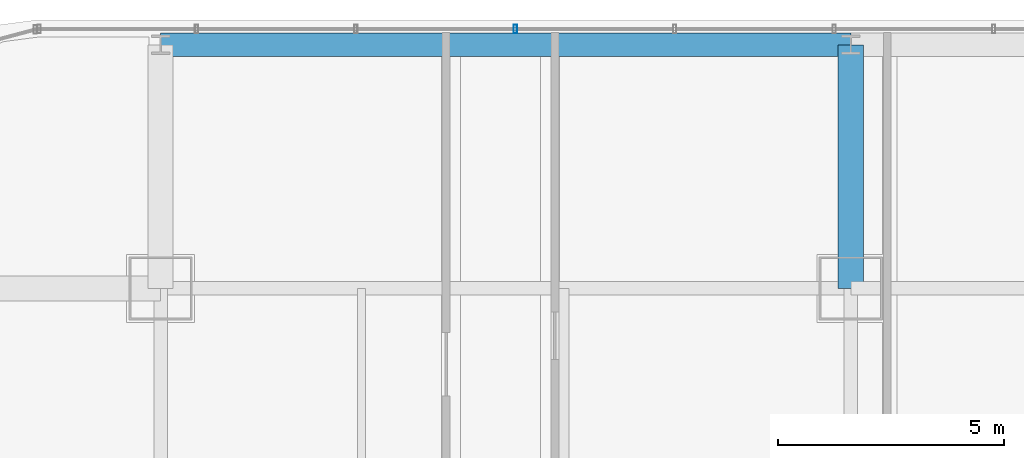
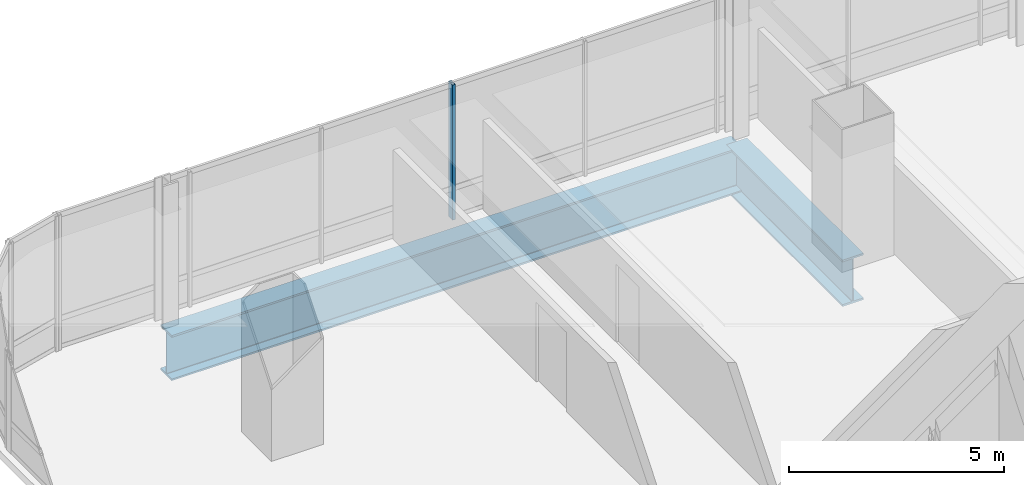
# One storey, part 22 of 38: 2 beams, 1 member, 1 element without a shape of its own.
"""IFC4 building model written with IfcOpenShell, lengths in metres."""

from ifc_helpers import new_model, si_unit, direction, frame, origin, origin_2d, place, context, subcontext, project, spatial, hollow_rectangle, i_section, extrude, material, material_profile, profile_set, type_object, element, aggregate, save


model = new_model("IFC4")

# Units and contexts
model_context = context("Model", 3, precision=1e-05, world=origin(), true_north=direction((0.0, 1.0)))
body_context = subcontext(model_context, "Body", "Model", "MODEL_VIEW")
ifc_project = project(units=[si_unit("LENGTHUNIT", "METRE"), si_unit("AREAUNIT", "SQUARE_METRE"), si_unit("VOLUMEUNIT", "CUBIC_METRE"), si_unit("PLANEANGLEUNIT", "RADIAN"), si_unit("MASSUNIT", "GRAM", prefix="KILO")], contexts=[model_context])

# Site, building, storey
site_placement = place(None, origin())
site = spatial("IfcSite", under=ifc_project, at=site_placement, CompositionType="ELEMENT")
building_placement = place(site_placement, origin())
building = spatial("IfcBuilding", under=site, at=building_placement, Name="Punatoya Terracotta Tower", CompositionType="ELEMENT")
storey_placement = place(building_placement, frame((0.0, 0.0, 151.949951171875)))
storey = spatial("IfcBuildingStorey", under=building, at=storey_placement, Name="L35", CompositionType="ELEMENT", Elevation=151.949951171875)

# Beams
ifc_material_1 = material(Name="Steel S460", Category="steel")
ifc_material_profile_1 = material_profile(ifc_material_1, i_section(OverallWidth=0.56005859375, OverallDepth=1.320068359375, WebThickness=0.035888671875, FlangeThickness=0.054931640625, FilletRadius=0.01806640625, at=origin_2d()))
ifc_profile_set_1 = profile_set([ifc_material_profile_1], Name="Steel S460")
beam_type_1 = type_object("IfcBeamType", Name="BM-TG-BLK", PredefinedType="BEAM", material=ifc_profile_set_1)
beam_1_placement = place(storey_placement, frame((-3.800048828125, 17.5, -0.8798828125), z_axis=(0.0, 1.0, 0.0), x_axis=(-1.0, 0.0, 0.0)))
element("IfcBeam", 1, at=beam_1_placement, inside=storey, type_object=beam_type_1, Name="BM-L35-CANT-N2", PredefinedType="BEAM", context=body_context, shape_type="SweptSolid", body=[
    extrude(i_section(OverallWidth=0.56005859375, OverallDepth=1.320068359375, WebThickness=0.035888671875, FlangeThickness=0.054931640625, FilletRadius=0.01806640625, at=origin_2d()), origin(), (0.0, 0.0, 1.0), 5.39990234375),
])
ifc_material_profile_2 = material_profile(ifc_material_1, i_section(OverallWidth=0.52001953125, OverallDepth=1.280029296875, WebThickness=0.031982421875, FlangeThickness=0.050048828125, FilletRadius=0.01806640625, at=origin_2d()))
ifc_profile_set_2 = profile_set([ifc_material_profile_2], Name="Steel S460")
beam_type_2 = type_object("IfcBeamType", Name="BM-TG-NCK", PredefinedType="BEAM", material=ifc_profile_set_2)
beam_2_placement = place(storey_placement, frame((-19.10009765625, 22.89990234375, -0.85986328125), z_axis=(1.0, 0.0, 0.0), x_axis=(0.0, 1.0, 0.0)))
element("IfcBeam", 2, at=beam_2_placement, inside=storey, type_object=beam_type_2, Name="BM-L35-PER-N1", PredefinedType="BEAM", context=body_context, shape_type="SweptSolid", body=[
    extrude(i_section(OverallWidth=0.52001953125, OverallDepth=1.280029296875, WebThickness=0.031982421875, FlangeThickness=0.050048828125, FilletRadius=0.01806640625, at=origin_2d()), origin(), (0.0, 0.0, 1.0), 15.300048828125),
])

# Curtain wall, member
ifc_material_2 = material(Name="Aluminium 6063-T6 + Double Low-E Glass", Category="aluminium")
curtain_wall_type = type_object("IfcCurtainWallType", Name="CW-M2", PredefinedType="NOTDEFINED", material=ifc_material_2)
curtain_wall_placement = place(storey_placement, origin())
curtain_wall = element("IfcCurtainWall", 3, at=curtain_wall_placement, inside=storey, type_object=curtain_wall_type, Name="L35 Curtain Wall CW-L35-N09-1", PredefinedType="NOTDEFINED")
ifc_material_3 = material(Name="Aluminium 6063-T6", Category="aluminium")
ifc_material_profile_3 = material_profile(ifc_material_3, hollow_rectangle(XDim=0.072021484375, YDim=0.195068359375, WallThickness=0.00439453125, at=origin_2d()))
ifc_profile_set_3 = profile_set([ifc_material_profile_3], Name="Aluminium 6063-T6")
member_type = type_object("IfcMemberType", Name="CW-MUL-M2", PredefinedType="MULLION", material=ifc_profile_set_3)
member_placement = place(storey_placement, frame((-11.235107421875, 23.25, 0.0), z_axis=(0.0, 0.0, 1.0), x_axis=(1.0, 0.0, 0.0)))
member = element("IfcMember", 4, at=member_placement, type_object=member_type, Name="CW-L35-N09-1 Mullion 08", PredefinedType="MULLION", context=body_context, shape_type="SweptSolid", body=[
    extrude(hollow_rectangle(XDim=0.072021484375, YDim=0.195068359375, WallThickness=0.00439453125, at=origin_2d()), origin(), (0.0, 0.0, 1.0), 3.830078125),
])
aggregate(curtain_wall, [member])

save(model, "model.ifc")
